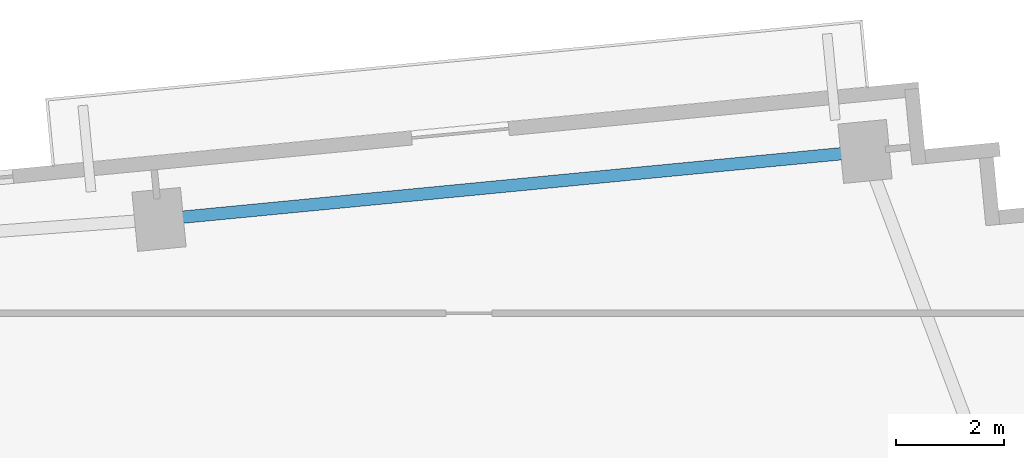
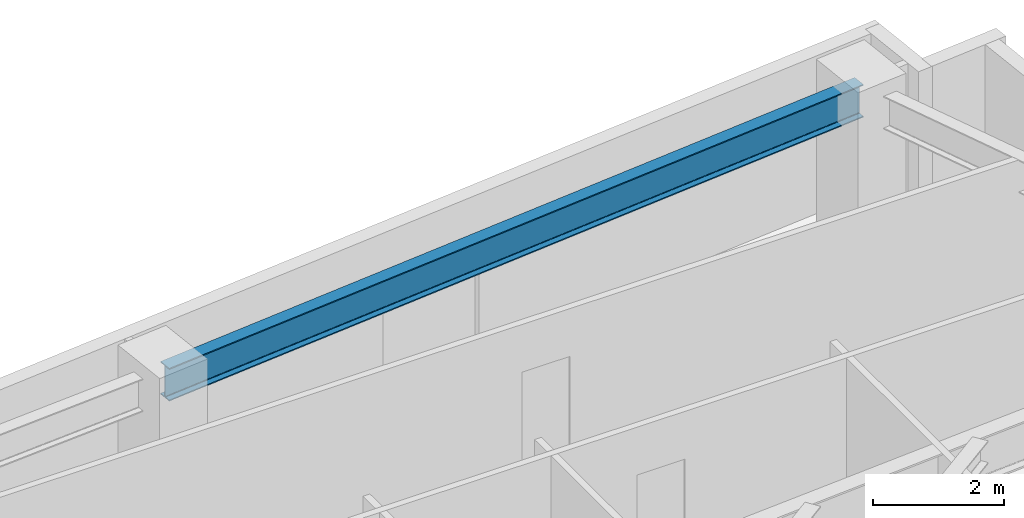
# One storey, part 16 of 25: 1 beam.
"""IFC4 building model written with IfcOpenShell, lengths in metres."""

from ifc_helpers import new_model, si_unit, direction, frame, origin, origin_2d, place, context, subcontext, project, spatial, i_section, extrude, source, transform, mapped, material, material_profile, profile_set, type_object, type_shapes, element, save


model = new_model("IFC4")

# Units and contexts
model_context = context("Model", 3, precision=1e-05, world=origin(), true_north=direction((0.0, 1.0)))
body_context = subcontext(model_context, "Body", "Model", "MODEL_VIEW")
ifc_project = project(units=[si_unit("LENGTHUNIT", "METRE"), si_unit("AREAUNIT", "SQUARE_METRE"), si_unit("VOLUMEUNIT", "CUBIC_METRE"), si_unit("PLANEANGLEUNIT", "RADIAN"), si_unit("MASSUNIT", "GRAM", prefix="KILO")], contexts=[model_context])

# Site, building, storey
site_placement = place(None, origin())
site = spatial("IfcSite", under=ifc_project, at=site_placement, CompositionType="ELEMENT")
building_placement = place(site_placement, origin())
building = spatial("IfcBuilding", under=site, at=building_placement, Name="Astriad Promenade Condominiums", CompositionType="ELEMENT")
storey_placement = place(building_placement, frame((0.0, 0.0, 100.199951171875)))
storey = spatial("IfcBuildingStorey", under=building, at=storey_placement, Name="L28", CompositionType="ELEMENT", Elevation=100.199951171875)

# Beam
ifc_material = material(Name="Steel ASTM A992 Grade 50", Category="steel")
ifc_material_profile = material_profile(ifc_material, i_section(OverallWidth=0.22900390625, OverallDepth=0.612060546875, WebThickness=0.011962890625, FlangeThickness=0.01953125, FilletRadius=0.017822265625, at=origin_2d()), Name="W24X84")
ifc_profile_set = profile_set([ifc_material_profile], Name="Steel ASTM A992 Grade 50")
beam_type = type_object("IfcBeamType", Name="STEEL SPANDREL BEAM W24X84", PredefinedType="SPANDREL", material=ifc_profile_set)
shared_shape = source(origin(), body_context, "Body", "SweptSolid", [
    extrude(i_section(OverallWidth=0.22900390625, OverallDepth=0.612060546875, WebThickness=0.011962890625, FlangeThickness=0.01953125, FilletRadius=0.017822265625, at=origin_2d()), origin(), (0.0, 0.0, 1.0), 13.020263671875),
])
type_shapes(beam_type, [shared_shape])
beam_placement = place(storey_placement, frame((64.394287109375, 27.5869140625, 2.634033203125), z_axis=(-0.995395311238, -0.095854965264, 0.0), x_axis=(0.095854965264, -0.995395311238, 0.0)))
element("IfcBeam", 1, at=beam_placement, inside=storey, type_object=beam_type, Name="Perimeter Spandrel Beam SP-N4-L28", PredefinedType="SPANDREL", context=body_context, shape_type="MappedRepresentation", body=[
    mapped(shared_shape, transform((0.0, 0.0, 0.0), scale=1.0)),
])

save(model, "model.ifc")
